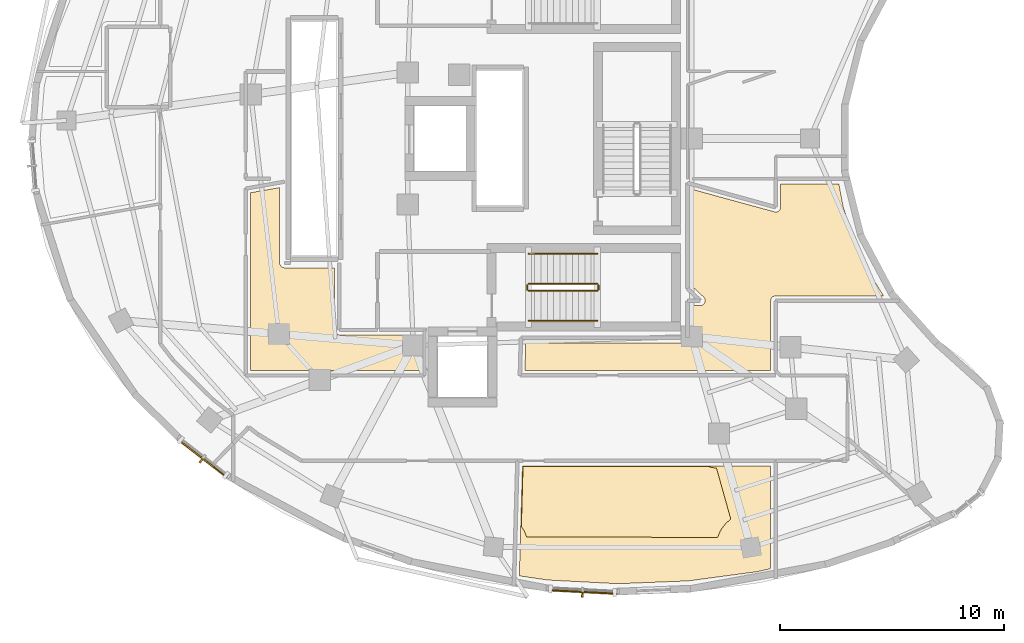
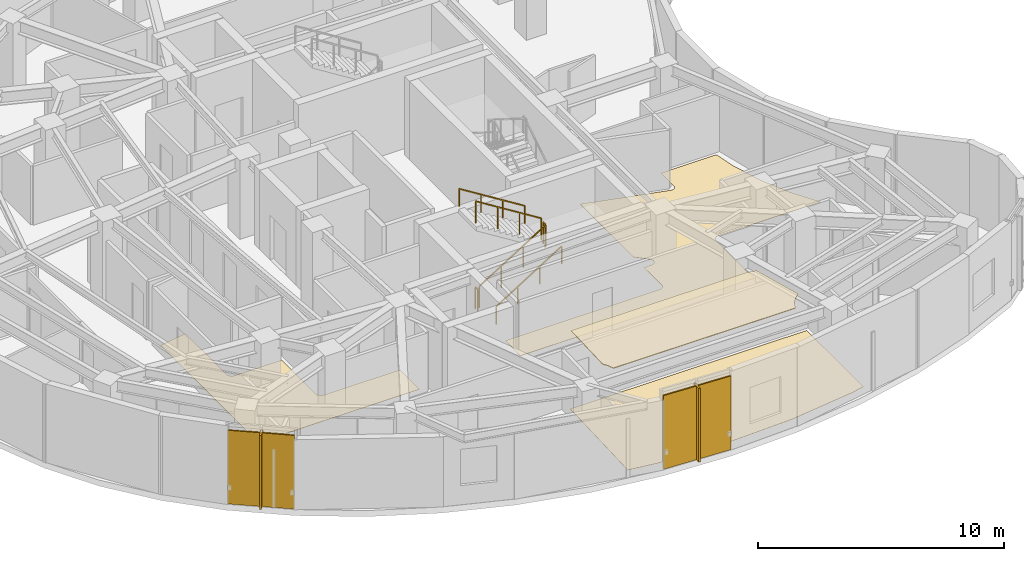
# One storey, part 11 of 13: 6 railings, 4 coverings, 4 shading devices.
"""IFC4 building model written with IfcOpenShell, lengths in metres."""

from ifc_helpers import new_model, si_unit, direction, frame, origin, origin_2d, place, context, subcontext, project, spatial, polyline, rectangle, outline, extrude, material, layer, layer_set, type_object, element, save


model = new_model("IFC4")

# Units and contexts
model_context = context("Model", 3, precision=1e-05, world=origin(), true_north=direction((0.0, 1.0)))
body_context = subcontext(model_context, "Body", "Model", "MODEL_VIEW")
ifc_project = project(units=[si_unit("LENGTHUNIT", "METRE"), si_unit("AREAUNIT", "SQUARE_METRE"), si_unit("VOLUMEUNIT", "CUBIC_METRE"), si_unit("PLANEANGLEUNIT", "RADIAN"), si_unit("MASSUNIT", "GRAM", prefix="KILO")], contexts=[model_context])

# Site, building, storey
site_placement = place(None, origin())
site = spatial("IfcSite", under=ifc_project, at=site_placement, CompositionType="ELEMENT")
building_placement = place(site_placement, origin())
building = spatial("IfcBuilding", under=site, at=building_placement, Name="Korentha Bioscience Tower", CompositionType="ELEMENT")
storey_placement = place(building_placement, frame((0.0, 0.0, 260.39990234375)))
storey = spatial("IfcBuildingStorey", under=building, at=storey_placement, Name="L60", CompositionType="ELEMENT", Elevation=260.39990234375)

# Railings
ifc_material_1 = material(Name="Stainless Steel 304", Category="steel")
railing_type_1 = type_object("IfcRailingType", Name="Brushed Stainless Stair Handrail 900", PredefinedType="HANDRAIL", material=ifc_material_1)
railing_1_placement = place(storey_placement, frame((30.25, 18.85009765625, 0.175048828125)))
element("IfcRailing", 1, at=railing_1_placement, inside=storey, type_object=railing_type_1, Name="L60 ST-2 stair handrail 1", PredefinedType="HANDRAIL", context=body_context, shape_type="SweptSolid", body=[
    extrude(rectangle(XDim=0.048095703125, YDim=0.048095703125, at=origin_2d()), frame((0.0, 0.0, 0.8759765625), z_axis=(0.847998304005, 0.0, 0.529998940003), x_axis=(0.0, 1.0, 0.0)), (0.0, 0.0, 1.0), 3.632080078125),
    extrude(rectangle(XDim=0.0419921875, YDim=0.0419921875, at=origin_2d()), origin(), (0.0, 0.0, 1.0), 0.851806640625),
    extrude(rectangle(XDim=0.0419921875, YDim=0.0419921875, at=origin_2d()), frame((1.026611328125, 0.0, 0.6416015625)), (0.0, 0.0, 1.0), 0.851806640625),
    extrude(rectangle(XDim=0.0419921875, YDim=0.0419921875, at=origin_2d()), frame((2.053466796875, 0.0, 1.283447265625)), (0.0, 0.0, 1.0), 0.851806640625),
    extrude(rectangle(XDim=0.0419921875, YDim=0.0419921875, at=origin_2d()), frame((3.080078125, 0.0, 1.925048828125)), (0.0, 0.0, 1.0), 0.851806640625),
])
railing_2_placement = place(storey_placement, frame((33.330078125, 21.85009765625, 2.275146484375)))
element("IfcRailing", 2, at=railing_2_placement, inside=storey, type_object=railing_type_1, Name="L60 ST-2 stair handrail 2", PredefinedType="HANDRAIL", context=body_context, shape_type="SweptSolid", body=[
    extrude(rectangle(XDim=0.048095703125, YDim=0.048095703125, at=origin_2d()), frame((0.0, 0.0, 0.8759765625), z_axis=(-0.847998304005, 0.0, 0.529998940003), x_axis=(0.0, -1.0, 0.0)), (0.0, 0.0, 1.0), 3.632080078125),
    extrude(rectangle(XDim=0.0419921875, YDim=0.0419921875, at=origin_2d()), origin(), (0.0, 0.0, 1.0), 0.851806640625),
    extrude(rectangle(XDim=0.0419921875, YDim=0.0419921875, at=origin_2d()), frame((-1.026611328125, 0.0, 0.6416015625)), (0.0, 0.0, 1.0), 0.851806640625),
    extrude(rectangle(XDim=0.0419921875, YDim=0.0419921875, at=origin_2d()), frame((-2.053466796875, 0.0, 1.283447265625)), (0.0, 0.0, 1.0), 0.851806640625),
    extrude(rectangle(XDim=0.0419921875, YDim=0.0419921875, at=origin_2d()), frame((-3.080078125, 0.0, 1.925048828125)), (0.0, 0.0, 1.0), 0.851806640625),
])

# Covering
ifc_material_2 = material(Name="Antimicrobial Mineral Fibre Board", Category="gypsum")
ifc_layer_1 = layer(ifc_material_2, 0.034912109375, Name="Antimicrobial Mineral Fibre Board")
ifc_layer_set_1 = layer_set([ifc_layer_1], Name="Antimicrobial Mineral Fibre Board (CL-MF35)")
covering_type_1 = type_object("IfcCoveringType", Name="Mineral-Fibre Cleanroom Suspended Ceiling 35", PredefinedType="CEILING", material=ifc_layer_set_1)
covering_1_placement = place(storey_placement, frame((0.0, 0.0, 3.864990234375)))
element("IfcCovering", 3, at=covering_1_placement, inside=storey, type_object=covering_type_1, Name="L60 Mass-Spectrometry Analytical Suite 05 Acoustic Ceiling", PredefinedType="CEILING", context=body_context, shape_type="SweptSolid", body=[
    extrude(outline(polyline([(39.295654296875, 9.982177734375), (39.093505859375, 9.813720703125), (38.900634765625, 9.578857421875), (38.822509765625, 9.448486328125), (38.70703125, 9.169921875), (30.172119140625, 9.18603515625), (30.054931640625, 9.469970703125), (29.93310546875, 9.6591796875), (30.008056640625, 12.339599609375), (38.280517578125, 12.33984375), (38.461669921875, 12.291015625), (38.656494140625, 12.266357421875), (39.295654296875, 9.982177734375)])), origin(), (0.0, 0.0, 1.0), 0.03515625),
])

# Railings
ifc_material_3 = material(Name="Painted Steel S275", Category="steel")
railing_type_2 = type_object("IfcRailingType", Name="Painted Steel Stair Well Guardrail 1100", PredefinedType="GUARDRAIL", material=ifc_material_3)
railing_3_placement = place(storey_placement, frame((30.25, 20.199951171875, 0.175048828125)))
element("IfcRailing", 4, at=railing_3_placement, inside=storey, type_object=railing_type_2, Name="L60 ST-2 stair guard 1", PredefinedType="GUARDRAIL", context=body_context, shape_type="SweptSolid", body=[
    extrude(rectangle(XDim=0.048095703125, YDim=0.048095703125, at=origin_2d()), frame((0.0, 0.0, 1.076171875), z_axis=(0.847998304005, 0.0, 0.529998940003), x_axis=(0.0, 1.0, 0.0)), (0.0, 0.0, 1.0), 3.632080078125),
    extrude(rectangle(XDim=0.0419921875, YDim=0.0419921875, at=origin_2d()), origin(), (0.0, 0.0, 1.0), 1.052001953125),
    extrude(rectangle(XDim=0.0419921875, YDim=0.0419921875, at=origin_2d()), frame((1.026611328125, 0.0, 0.6416015625)), (0.0, 0.0, 1.0), 1.052001953125),
    extrude(rectangle(XDim=0.0419921875, YDim=0.0419921875, at=origin_2d()), frame((2.053466796875, 0.0, 1.283447265625)), (0.0, 0.0, 1.0), 1.052001953125),
    extrude(rectangle(XDim=0.0419921875, YDim=0.0419921875, at=origin_2d()), frame((3.080078125, 0.0, 1.925048828125)), (0.0, 0.0, 1.0), 1.052001953125),
])
railing_4_placement = place(storey_placement, frame((33.3798828125, 20.25, 2.10009765625)))
element("IfcRailing", 5, at=railing_4_placement, inside=storey, type_object=railing_type_2, Name="L60 ST-2 stair guard 2", PredefinedType="GUARDRAIL", context=body_context, shape_type="SweptSolid", body=[
    extrude(rectangle(XDim=0.048095703125, YDim=0.048095703125, at=origin_2d()), frame((0.0, 0.0, 1.076171875), z_axis=(0.0, 1.0, 0.0), x_axis=(-1.0, 0.0, 0.0)), (0.0, 0.0, 1.0), 0.199951171875),
    extrude(rectangle(XDim=0.0419921875, YDim=0.0419921875, at=origin_2d()), origin(), (0.0, 0.0, 1.0), 1.052001953125),
    extrude(rectangle(XDim=0.0419921875, YDim=0.0419921875, at=origin_2d()), frame((0.0, 0.199951171875, 0.0)), (0.0, 0.0, 1.0), 1.052001953125),
])
railing_5_placement = place(storey_placement, frame((33.330078125, 20.5, 2.275146484375)))
element("IfcRailing", 6, at=railing_5_placement, inside=storey, type_object=railing_type_2, Name="L60 ST-2 stair guard 3", PredefinedType="GUARDRAIL", context=body_context, shape_type="SweptSolid", body=[
    extrude(rectangle(XDim=0.048095703125, YDim=0.048095703125, at=origin_2d()), frame((0.0, 0.0, 1.076171875), z_axis=(-0.847998304005, 0.0, 0.529998940003), x_axis=(0.0, -1.0, 0.0)), (0.0, 0.0, 1.0), 3.632080078125),
    extrude(rectangle(XDim=0.0419921875, YDim=0.0419921875, at=origin_2d()), origin(), (0.0, 0.0, 1.0), 1.052001953125),
    extrude(rectangle(XDim=0.0419921875, YDim=0.0419921875, at=origin_2d()), frame((-1.026611328125, 0.0, 0.6416015625)), (0.0, 0.0, 1.0), 1.052001953125),
    extrude(rectangle(XDim=0.0419921875, YDim=0.0419921875, at=origin_2d()), frame((-2.053466796875, 0.0, 1.283447265625)), (0.0, 0.0, 1.0), 1.052001953125),
    extrude(rectangle(XDim=0.0419921875, YDim=0.0419921875, at=origin_2d()), frame((-3.080078125, 0.0, 1.925048828125)), (0.0, 0.0, 1.0), 1.052001953125),
])
railing_6_placement = place(storey_placement, frame((30.199951171875, 20.25, 0.0)))
element("IfcRailing", 7, at=railing_6_placement, inside=storey, type_object=railing_type_2, Name="L60 ST-2 stair guard 4", PredefinedType="GUARDRAIL", context=body_context, shape_type="SweptSolid", body=[
    extrude(rectangle(XDim=0.048095703125, YDim=0.048095703125, at=origin_2d()), frame((0.0, 0.0, 1.076171875), z_axis=(0.0, 1.0, 0.0), x_axis=(-1.0, 0.0, 0.0)), (0.0, 0.0, 1.0), 0.199951171875),
    extrude(rectangle(XDim=0.0419921875, YDim=0.0419921875, at=origin_2d()), origin(), (0.0, 0.0, 1.0), 1.052001953125),
    extrude(rectangle(XDim=0.0419921875, YDim=0.0419921875, at=origin_2d()), frame((0.0, 0.199951171875, 0.0)), (0.0, 0.0, 1.0), 1.052001953125),
])

# Shading devices
ifc_material_4 = material(Name="Perforated Stone-Ceramic Composite", Category="masonry")
ifc_layer_2 = layer(ifc_material_4, 0.06494140625, Name="Perforated Stone-Ceramic Composite")
ifc_layer_set_2 = layer_set([ifc_layer_2], Name="Perforated Stone-Ceramic Composite (CS-01)")
shading_device_type_1 = type_object("IfcShadingDeviceType", Name="Perforated Stone-Ceramic Solar Screen Panel 65", PredefinedType="USERDEFINED", material=ifc_layer_set_2)
shading_device_1_placement = place(storey_placement, frame((15.684326171875, 12.694580078125, 0.000244140625), z_axis=(0.0, 0.0, 1.0), x_axis=(0.790487520139, -0.612478146961, 0.0)))
element("IfcShadingDevice", 8, at=shading_device_1_placement, inside=storey, type_object=shading_device_type_1, Name="CW-L60-25 Perforated Stone-Ceramic Solar Screen", ObjectType="SCREEN", PredefinedType="USERDEFINED", context=body_context, shape_type="SweptSolid", body=[
    extrude(rectangle(XDim=2.742919921875, YDim=0.06494140625, at=origin_2d()), origin(), (0.0, 0.0, 1.0), 3.64990234375),
])
shading_device_2_placement = place(storey_placement, frame((32.66748046875, 6.729736328125, 0.000244140625), z_axis=(0.0, 0.0, 1.0), x_axis=(0.998636113937, -0.052210266622, 0.0)))
element("IfcShadingDevice", 9, at=shading_device_2_placement, inside=storey, type_object=shading_device_type_1, Name="CW-L60-31 Perforated Stone-Ceramic Solar Screen", ObjectType="SCREEN", PredefinedType="USERDEFINED", context=body_context, shape_type="SweptSolid", body=[
    extrude(rectangle(XDim=3.087646484375, YDim=0.06494140625, at=origin_2d()), origin(), (0.0, 0.0, 1.0), 3.64990234375),
])

# Coverings
ifc_material_5 = material(Name="Chemical-Resistant Epoxy Resin", Category="polymer")
ifc_layer_3 = layer(ifc_material_5, 0.011962890625, Name="Chemical-Resistant Epoxy Resin")
ifc_layer_set_3 = layer_set([ifc_layer_3], Name="Chemical-Resistant Epoxy Resin (FL-EPX)")
covering_type_2 = type_object("IfcCoveringType", Name="Seamless Epoxy Laboratory Flooring 12", PredefinedType="FLOORING", material=ifc_layer_set_3)
covering_2_placement = place(storey_placement, origin())
element("IfcCovering", 10, at=covering_2_placement, inside=storey, type_object=covering_type_2, Name="L60 Staff Pantry Kitchenette 03 Floor Finish", PredefinedType="FLOORING", context=body_context, shape_type="SweptSolid", body=[
    extrude(outline(polyline([(19.1201171875, 24.80810546875), (19.12255859375, 21.415771484375), (19.17919921875, 21.2958984375), (19.27294921875, 21.2333984375), (19.35009765625, 21.219970703125), (21.570068359375, 21.219970703125), (21.5703125, 18.439208984375), (21.6025390625, 18.332275390625), (21.681396484375, 18.2529296875), (21.800048828125, 18.219970703125), (25.3798828125, 18.219970703125), (25.3798828125, 16.6298828125), (17.830078125, 16.6298828125), (17.830078125, 24.578369140625), (19.1201171875, 24.80810546875)])), origin(), (0.0, 0.0, 1.0), 0.01220703125),
])
covering_3_placement = place(storey_placement, origin())
element("IfcCovering", 11, at=covering_3_placement, inside=storey, type_object=covering_type_2, Name="L60 Mass-Spectrometry Analytical Suite 05 Floor Finish", PredefinedType="FLOORING", context=body_context, shape_type="SweptSolid", body=[
    extrude(outline(polyline([(29.97900390625, 12.36962890625), (41.077880859375, 12.3701171875), (41.077880859375, 7.77392578125), (40.493896484375, 7.638671875), (37.398193359375, 7.2236328125), (34.259033203125, 7.09716796875), (31.123046875, 7.260986328125), (29.841552734375, 7.448486328125), (29.97900390625, 12.36962890625)])), origin(), (0.0, 0.0, 1.0), 0.01220703125),
])
covering_4_placement = place(storey_placement, origin())
element("IfcCovering", 12, at=covering_4_placement, inside=storey, type_object=covering_type_2, Name="L60 Solvent and Chemical Weighing Room 07 Floor Finish", PredefinedType="FLOORING", context=body_context, shape_type="SweptSolid", body=[
    extrude(outline(polyline([(37.35009765625, 17.8701171875), (37.427978515625, 17.883544921875), (37.504150390625, 17.92919921875), (37.5576171875, 18.001220703125), (37.57763671875, 18.066650390625), (37.580078125, 19.528076171875), (38.005859375, 19.54150390625), (38.110595703125, 19.620849609375), (38.153076171875, 19.745849609375), (38.1376953125, 19.833251953125), (38.090087890625, 19.907958984375), (37.580078125, 20.3837890625), (37.580078125, 24.725830078125), (41.302978515625, 23.710205078125), (41.386962890625, 23.728515625), (41.4423828125, 23.7626953125), (41.49609375, 23.82958984375), (41.517822265625, 23.89111328125), (41.52197265625, 24.977783203125), (44.126220703125, 24.97802734375), (44.31640625, 23.967529296875), (44.77587890625, 22.5185546875), (45.390625, 21.170166015625), (46.12158203125, 19.97216796875), (41.30224609375, 19.971923828125), (41.169677734375, 19.9287109375), (41.10888671875, 19.861572265625), (41.078125, 19.75390625), (41.077880859375, 16.6298828125), (30.091796875, 16.6298828125), (30.126708984375, 17.8701171875), (37.35009765625, 17.8701171875)])), origin(), (0.0, 0.0, 1.0), 0.01220703125),
])

# Shading devices
ifc_material_6 = material(Name="Honed Travertine Limestone", Category="masonry")
ifc_layer_4 = layer(ifc_material_6, 0.080078125, Name="Honed Travertine Limestone")
ifc_layer_set_4 = layer_set([ifc_layer_4], Name="Honed Travertine Limestone (CS-02)")
shading_device_type_2 = type_object("IfcShadingDeviceType", Name="Vertical Honed Limestone Sunshade Fin 80x420", PredefinedType="USERDEFINED", material=ifc_layer_set_4)
for number, where, z_axis, x_axis, name in (
    (13, (15.672119140625, 12.6787109375, 0.000244140625), (0.0, 0.0, 1.0), (0.790487520139, -0.612478146961, 0.0), "CW-L60-25 Limestone Sunshade Fin"),
    (14, (32.66650390625, 6.709716796875, 0.000244140625), (0.0, 0.0, 1.0), (0.998636113937, -0.052210266622, 0.0), "CW-L60-31 Limestone Sunshade Fin"),
):
    element("IfcShadingDevice", number, at=place(storey_placement, frame(where, z_axis=z_axis, x_axis=x_axis)), inside=storey, type_object=shading_device_type_2, Name=name, ObjectType="SCREEN", PredefinedType="USERDEFINED", context=body_context, shape_type="SweptSolid", body=[
        extrude(rectangle(XDim=0.080078125, YDim=0.419921875, at=origin_2d()), origin(), (0.0, 0.0, 1.0), 3.64990234375),
    ])

save(model, "model.ifc")
